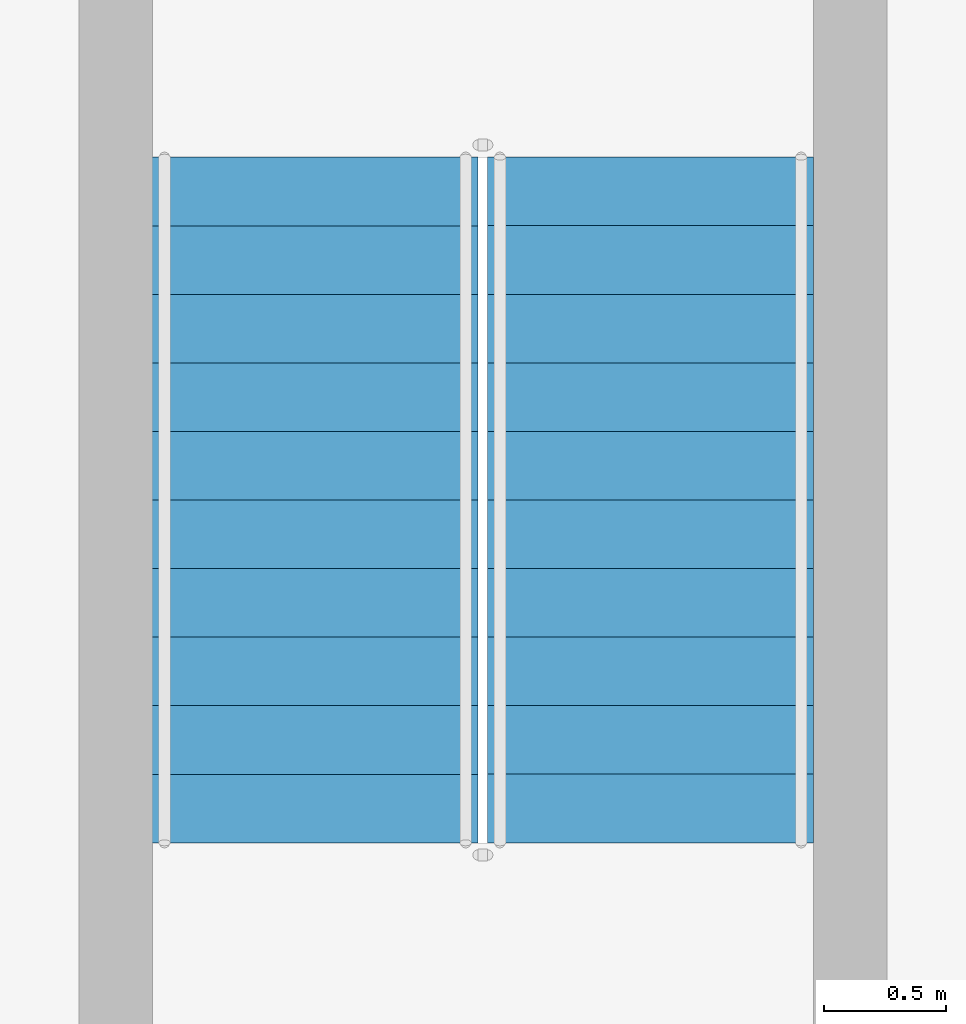
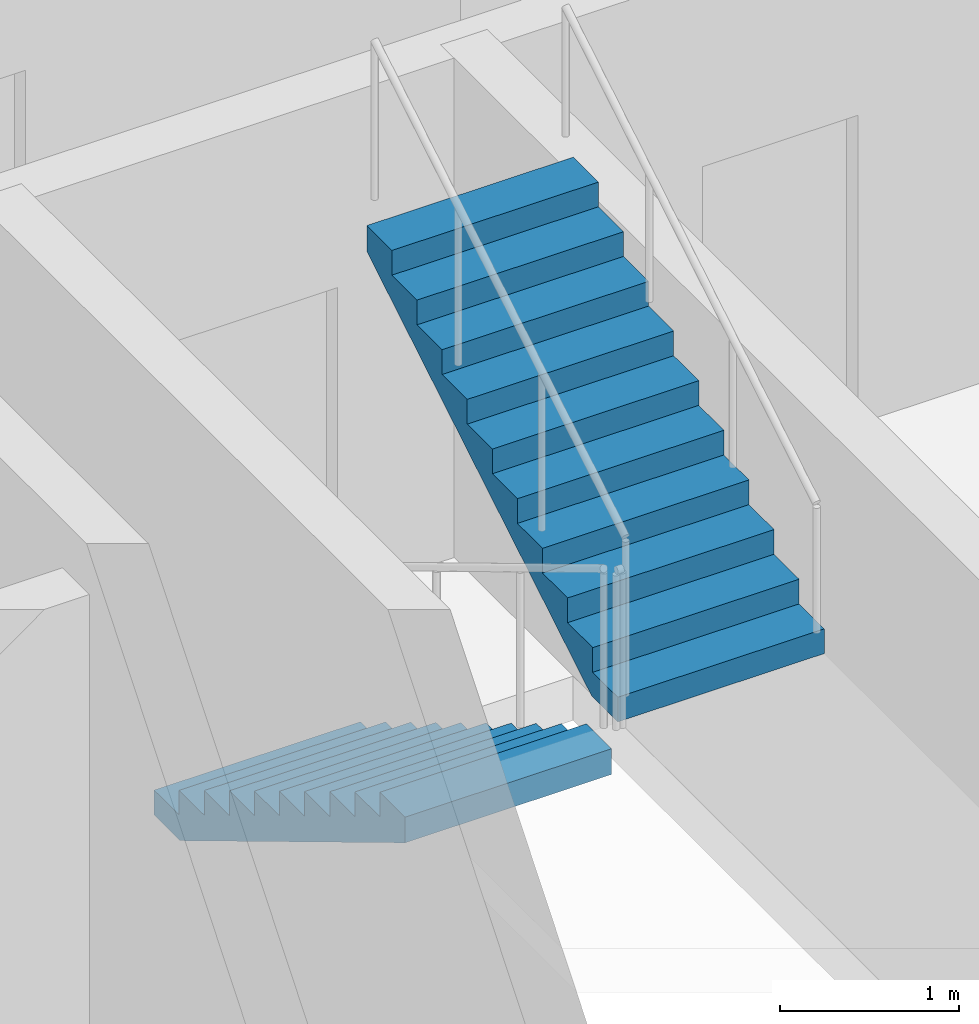
# One storey, part 14 of 18: 2 stair flights, 1 element without a shape of its own.
"""IFC4 building model written with IfcOpenShell, lengths in metres."""

import ifcopenshell
import ifcopenshell.guid

model = None  # the IFC model being written
_history = None  # IfcOwnerHistory: only IFC2X3 demands one
_inside = {}  # id of a spatial element -> (the spatial element, [elements in it])
_under = {}  # id of a project, library or spatial element -> (it, [spatial elements below it])
_declared = {}  # id of a project -> (the project, [libraries it declares])
_typed = {}  # id of a type object -> (the type object, [elements of that type])
_made_of = {}  # id of a material, layer set ... -> (it, [elements and type objects made of it])


def new_model(schema):
    """Start an empty IFC model of exactly this schema.

    Asked for "IFC4X3", IfcOpenShell would pick the latest addendum, in which some entities
    have other attributes; the version numbers below select the first issue.
    IFC2X3 requires an IfcOwnerHistory on every rooted entity: one is made here for all.
    """
    global model, _history
    if schema == "IFC4X3":
        model = ifcopenshell.file(schema_version=(4, 3, 0, 0))
    else:
        model = ifcopenshell.file(schema=schema)
    _inside.clear()
    _under.clear()
    _declared.clear()
    _typed.clear()
    _made_of.clear()
    _history = None
    if model.schema == "IFC2X3":
        org = make("IfcOrganization", Name="unknown")
        user = make(
            "IfcPersonAndOrganization",
            ThePerson=make("IfcPerson", FamilyName="unknown"),
            TheOrganization=org,
        )
        app = make(
            "IfcApplication",
            ApplicationDeveloper=org,
            Version="unknown",
            ApplicationFullName="unknown",
            ApplicationIdentifier="unknown",
        )
        _history = make(
            "IfcOwnerHistory",
            OwningUser=user,
            OwningApplication=app,
            ChangeAction="ADDED",
            CreationDate=0,
        )
    return model


def make(cls, **values):
    """One entity of the class cls with the attributes given. An attribute that is None is left unset."""
    return model.create_entity(
        cls, **{name: value for name, value in values.items() if value is not None}
    )


def rooted(cls, **values):
    """An entity with a GlobalId (a new one), such as an element, a storey or a relation."""
    return make(cls, GlobalId=ifcopenshell.guid.new(), OwnerHistory=_history, **values)


def si_unit(unit_type, name, prefix=None):
    """IfcSIUnit, for example si_unit("LENGTHUNIT", "METRE", prefix="MILLI")."""
    return make("IfcSIUnit", UnitType=unit_type, Prefix=prefix, Name=name)


def assignment(units):
    """IfcUnitAssignment: the units of a project."""
    return None if units is None else make("IfcUnitAssignment", Units=units)


def point(xyz):
    """IfcCartesianPoint."""
    return None if xyz is None else make("IfcCartesianPoint", Coordinates=xyz)


def direction(xyz):
    """IfcDirection."""
    return None if xyz is None else make("IfcDirection", DirectionRatios=xyz)


def frame(location, z_axis=None, x_axis=None):
    """IfcAxis2Placement3D, a coordinate frame: its origin and axes. An axis left out is left unset."""
    return make(
        "IfcAxis2Placement3D",
        Location=point(location),
        Axis=direction(z_axis),
        RefDirection=direction(x_axis),
    )


def origin():
    """The frame at (0, 0, 0) with its axes left unset."""
    return frame((0.0, 0.0, 0.0))


def place(relative_to, where):
    """IfcLocalPlacement: puts the frame where relative to a parent placement (None: the world)."""
    return make(
        "IfcLocalPlacement", PlacementRelTo=relative_to, RelativePlacement=where
    )


def context(
    kind, dimensions, precision=None, world=None, true_north=None, identifier=None
):
    """IfcGeometricRepresentationContext, for example the 3D "Model" context."""
    return make(
        "IfcGeometricRepresentationContext",
        ContextIdentifier=identifier,
        ContextType=kind,
        CoordinateSpaceDimension=dimensions,
        Precision=precision,
        WorldCoordinateSystem=world,
        TrueNorth=true_north,
    )


def subcontext(parent, identifier, kind, view, scale=None):
    """IfcGeometricRepresentationSubContext, for example "Body" below "Model"."""
    return make(
        "IfcGeometricRepresentationSubContext",
        ContextIdentifier=identifier,
        ContextType=kind,
        ParentContext=parent,
        TargetScale=scale,
        TargetView=view,
    )


def project(units=None, contexts=None):
    """IfcProject with its units and contexts."""
    return rooted(
        "IfcProject",
        Name="project",
        RepresentationContexts=contexts,
        UnitsInContext=assignment(units),
    )


def spatial(cls, under=None, at=None, **own):
    """A site, building, storey or space (cls), placed at a placement, below another one or the project."""
    s = rooted(cls, ObjectPlacement=at, **own)
    if under is not None:
        _under.setdefault(under.id(), (under, []))[1].append(s)
    return s


def point_list(points):
    """IfcCartesianPointList2D or 3D."""
    cls = (
        "IfcCartesianPointList2D" if len(points[0]) == 2 else "IfcCartesianPointList3D"
    )
    return make(cls, CoordList=points)


def triangles(points, corners, closed=None, point_numbers=None):
    """IfcTriangulatedFaceSet: each triangle names its three corners, points numbered from 1."""
    return make(
        "IfcTriangulatedFaceSet",
        Coordinates=point_list(points),
        Closed=closed,
        CoordIndex=corners,
        PnIndex=point_numbers,
    )


def shape(context_of_items, identifier, shape_type, items):
    """IfcShapeRepresentation: the items that make up one representation, for example the "Body"."""
    return make(
        "IfcShapeRepresentation",
        ContextOfItems=context_of_items,
        RepresentationIdentifier=identifier,
        RepresentationType=shape_type,
        Items=items,
    )


def source(mapping_origin, context_of_items, identifier, shape_type, items):
    """IfcRepresentationMap: a shape defined once, which mapped items show again and again."""
    return make(
        "IfcRepresentationMap",
        MappingOrigin=mapping_origin,
        MappedRepresentation=shape(context_of_items, identifier, shape_type, items),
    )


def transform(
    local_origin,
    x_axis=None,
    y_axis=None,
    z_axis=None,
    scale=None,
    scale2=None,
    scale3=None,
    uniform=True,
):
    """IfcCartesianTransformationOperator3D, or its non-uniform kind. x_axis, y_axis, z_axis: its Axis1, 2, 3."""
    if uniform:
        return make(
            "IfcCartesianTransformationOperator3D",
            Axis1=direction(x_axis),
            Axis2=direction(y_axis),
            LocalOrigin=point(local_origin),
            Scale=scale,
            Axis3=direction(z_axis),
        )
    return make(
        "IfcCartesianTransformationOperator3DnonUniform",
        Axis1=direction(x_axis),
        Axis2=direction(y_axis),
        LocalOrigin=point(local_origin),
        Scale=scale,
        Axis3=direction(z_axis),
        Scale2=scale2,
        Scale3=scale3,
    )


def mapped(mapping_source, mapping_target):
    """IfcMappedItem: shows the shape of a source again, moved by a transform."""
    return make(
        "IfcMappedItem", MappingSource=mapping_source, MappingTarget=mapping_target
    )


def material(Name=None, Category=None):
    """IfcMaterial."""
    return make("IfcMaterial", Name=Name, Category=Category)


def made_of(thing, what):
    """Note that an element or type object is made of a material, layer set ...; save() writes the relation."""
    if what is not None:
        _made_of.setdefault(what.id(), (what, []))[1].append(thing)
    return thing


def type_object(cls, material=None, **own):
    """A type object (cls), such as IfcWallType, which elements share."""
    return made_of(rooted(cls, **own), material)


def element(
    cls,
    number,
    at=None,
    inside=None,
    cuts=None,
    type_object=None,
    material=None,
    context=None,
    identifier="Body",
    shape_type=None,
    held_by="IfcProductDefinitionShape",
    body=None,
    shapes=None,
    **own,
):
    """One element of the class cls, such as IfcWall. Its Tag is "e" and its number.

    at: its placement. inside: the storey or other place that contains it. cuts: it is an
    opening in that element (IfcRelVoidsElement). A single representation is given by context,
    identifier, shape_type and body (its items); several are given by shapes. held_by: the class
    of the entity that holds the representations. save() writes the other relations.
    """
    e = rooted(cls, Tag="e%d" % number, ObjectPlacement=at, **own)
    if body is not None:
        shapes = [shape(context, identifier, shape_type, body)]
    if shapes is not None:
        e.Representation = make(held_by, Representations=shapes)
    if inside is not None:
        _inside.setdefault(inside.id(), (inside, []))[1].append(e)
    if cuts is not None:
        rooted(
            "IfcRelVoidsElement", RelatingBuildingElement=cuts, RelatedOpeningElement=e
        )
    if type_object is not None:
        _typed.setdefault(type_object.id(), (type_object, []))[1].append(e)
    return made_of(e, material)


def aggregate(whole, parts):
    """IfcRelAggregates: a whole, such as a stair, and the parts it consists of."""
    return rooted("IfcRelAggregates", RelatingObject=whole, RelatedObjects=parts)


def save(model, path):
    """Write the relations noted so far, then the file.

    IfcRelAggregates (storeys below a building ...), IfcRelContainedInSpatialStructure (elements
    in a storey), IfcRelDefinesByType, IfcRelAssociatesMaterial and IfcRelDeclares: one each for
    every whole, place, type object, material and project.
    """
    for whole, parts in _under.values():
        aggregate(whole, parts)
    for where, things in _inside.values():
        rooted(
            "IfcRelContainedInSpatialStructure",
            RelatedElements=things,
            RelatingStructure=where,
        )
    for kind, things in _typed.values():
        rooted("IfcRelDefinesByType", RelatedObjects=things, RelatingType=kind)
    for what, things in _made_of.values():
        rooted("IfcRelAssociatesMaterial", RelatedObjects=things, RelatingMaterial=what)
    for by, libraries in _declared.values():
        rooted("IfcRelDeclares", RelatingContext=by, RelatedDefinitions=libraries)
    model.write(path)


model = new_model("IFC4")

# Units and contexts
model_context = context("Model", 3, precision=1e-05, world=origin(), true_north=direction((0.0, 1.0)))
body_context = subcontext(model_context, "Body", "Model", "MODEL_VIEW")
ifc_project = project(units=[si_unit("LENGTHUNIT", "METRE"), si_unit("AREAUNIT", "SQUARE_METRE"), si_unit("VOLUMEUNIT", "CUBIC_METRE"), si_unit("PLANEANGLEUNIT", "RADIAN"), si_unit("MASSUNIT", "GRAM", prefix="KILO")], contexts=[model_context])

# Site, building, storey
site_placement = place(None, origin())
site = spatial("IfcSite", under=ifc_project, at=site_placement, CompositionType="ELEMENT")
building_placement = place(site_placement, origin())
building = spatial("IfcBuilding", under=site, at=building_placement, Name="Ogive Portal Towers", CompositionType="ELEMENT")
storey_placement = place(building_placement, frame((0.0, 0.0, 236.5)))
storey = spatial("IfcBuildingStorey", under=building, at=storey_placement, Name="L59", CompositionType="ELEMENT", Elevation=236.5)

# Stair, stair flights
ifc_material = material(Name="Concrete C40/50", Category="concrete")
stair_type = type_object("IfcStairType", Name="INT-STAIR", PredefinedType="HALF_TURN_STAIR", material=ifc_material)
stair_placement = place(storey_placement, origin())
stair = element("IfcStair", 1, at=stair_placement, inside=storey, type_object=stair_type, Name="L59 Exit Stair ST-A4", PredefinedType="HALF_TURN_STAIR")
stair_flight_type = type_object("IfcStairFlightType", Name="INT-FLIGHT", PredefinedType="STRAIGHT", material=ifc_material)
shared_shape = source(origin(), body_context, "Body", "Tessellation", [
    triangles([(0.0, -0.6650390625, 0.0), (0.0, -0.384765625, 0.0), (0.0, -0.197021484375, 0.0), (0.0, -0.0830078125, 0.0), (0.0, -0.024658203125, 0.0), (0.0, -0.003173828125, 0.0), (0.0, 0.0, 0.0), (0.0, 0.003173828125, 0.0), (0.0, 0.024658203125, 0.0), (0.0, 0.0830078125, 0.0), (0.0, 0.197021484375, 0.0), (0.0, 0.384765625, 0.0), (0.0, 0.6650390625, 0.0), (0.0, -0.6650390625, 0.168212890625), (0.0, -0.384765625, 0.168212890625), (0.0, -0.197021484375, 0.168212890625), (0.0, -0.0830078125, 0.168212890625), (0.0, -0.024658203125, 0.168212890625), (0.0, -0.003173828125, 0.168212890625), (0.0, 0.0, 0.168212890625), (0.0, 0.003173828125, 0.168212890625), (0.0, 0.024658203125, 0.168212890625), (0.0, 0.0830078125, 0.168212890625), (0.0, 0.197021484375, 0.168212890625), (0.0, 0.384765625, 0.168212890625), (0.0, 0.6650390625, 0.168212890625), (0.280029296875, -0.6650390625, 0.168212890625), (0.280029296875, -0.384765625, 0.168212890625), (0.280029296875, -0.197021484375, 0.168212890625), (0.280029296875, -0.0830078125, 0.168212890625), (0.280029296875, -0.024658203125, 0.168212890625), (0.280029296875, -0.003173828125, 0.168212890625), (0.280029296875, 0.0, 0.168212890625), (0.280029296875, 0.003173828125, 0.168212890625), (0.280029296875, 0.024658203125, 0.168212890625), (0.280029296875, 0.0830078125, 0.168212890625), (0.280029296875, 0.197021484375, 0.168212890625), (0.280029296875, 0.384765625, 0.168212890625), (0.280029296875, 0.6650390625, 0.168212890625), (0.280029296875, -0.6650390625, 0.33642578125), (0.280029296875, -0.384765625, 0.33642578125), (0.280029296875, -0.197021484375, 0.33642578125), (0.280029296875, -0.0830078125, 0.33642578125), (0.280029296875, -0.024658203125, 0.33642578125), (0.280029296875, -0.003173828125, 0.33642578125), (0.280029296875, 0.0, 0.33642578125), (0.280029296875, 0.003173828125, 0.33642578125), (0.280029296875, 0.024658203125, 0.33642578125), (0.280029296875, 0.0830078125, 0.33642578125), (0.280029296875, 0.197021484375, 0.33642578125), (0.280029296875, 0.384765625, 0.33642578125), (0.280029296875, 0.6650390625, 0.33642578125), (0.56005859375, -0.6650390625, 0.33642578125), (0.56005859375, -0.384765625, 0.33642578125), (0.56005859375, -0.197021484375, 0.33642578125), (0.56005859375, -0.0830078125, 0.33642578125), (0.56005859375, -0.024658203125, 0.33642578125), (0.56005859375, -0.003173828125, 0.33642578125), (0.56005859375, 0.0, 0.33642578125), (0.56005859375, 0.003173828125, 0.33642578125), (0.56005859375, 0.024658203125, 0.33642578125), (0.56005859375, 0.0830078125, 0.33642578125), (0.56005859375, 0.197021484375, 0.33642578125), (0.56005859375, 0.384765625, 0.33642578125), (0.56005859375, 0.6650390625, 0.33642578125), (0.56005859375, -0.6650390625, 0.504638671875), (0.56005859375, -0.384765625, 0.504638671875), (0.56005859375, -0.197021484375, 0.504638671875), (0.56005859375, -0.0830078125, 0.504638671875), (0.56005859375, -0.024658203125, 0.504638671875), (0.56005859375, -0.003173828125, 0.504638671875), (0.56005859375, 0.0, 0.504638671875), (0.56005859375, 0.003173828125, 0.504638671875), (0.56005859375, 0.024658203125, 0.504638671875), (0.56005859375, 0.0830078125, 0.504638671875), (0.56005859375, 0.197021484375, 0.504638671875), (0.56005859375, 0.384765625, 0.504638671875), (0.56005859375, 0.6650390625, 0.504638671875), (0.840087890625, -0.6650390625, 0.504638671875), (0.840087890625, -0.384765625, 0.504638671875), (0.840087890625, -0.197021484375, 0.504638671875), (0.840087890625, -0.0830078125, 0.504638671875), (0.840087890625, -0.024658203125, 0.504638671875), (0.840087890625, -0.003173828125, 0.504638671875), (0.840087890625, 0.0, 0.504638671875), (0.840087890625, 0.003173828125, 0.504638671875), (0.840087890625, 0.024658203125, 0.504638671875), (0.840087890625, 0.0830078125, 0.504638671875), (0.840087890625, 0.197021484375, 0.504638671875), (0.840087890625, 0.384765625, 0.504638671875), (0.840087890625, 0.6650390625, 0.504638671875), (0.840087890625, -0.6650390625, 0.672607421875), (0.840087890625, -0.384765625, 0.672607421875), (0.840087890625, -0.197021484375, 0.672607421875), (0.840087890625, -0.0830078125, 0.672607421875), (0.840087890625, -0.024658203125, 0.672607421875), (0.840087890625, -0.003173828125, 0.672607421875), (0.840087890625, 0.0, 0.672607421875), (0.840087890625, 0.003173828125, 0.672607421875), (0.840087890625, 0.024658203125, 0.672607421875), (0.840087890625, 0.0830078125, 0.672607421875), (0.840087890625, 0.197021484375, 0.672607421875), (0.840087890625, 0.384765625, 0.672607421875), (0.840087890625, 0.6650390625, 0.672607421875), (1.1201171875, -0.6650390625, 0.672607421875), (1.1201171875, -0.384765625, 0.672607421875), (1.1201171875, -0.197021484375, 0.672607421875), (1.1201171875, -0.0830078125, 0.672607421875), (1.1201171875, -0.024658203125, 0.672607421875), (1.1201171875, -0.003173828125, 0.672607421875), (1.1201171875, 0.0, 0.672607421875), (1.1201171875, 0.003173828125, 0.672607421875), (1.1201171875, 0.024658203125, 0.672607421875), (1.1201171875, 0.0830078125, 0.672607421875), (1.1201171875, 0.197021484375, 0.672607421875), (1.1201171875, 0.384765625, 0.672607421875), (1.1201171875, 0.6650390625, 0.672607421875), (1.1201171875, -0.6650390625, 0.8408203125), (1.1201171875, -0.384765625, 0.8408203125), (1.1201171875, -0.197021484375, 0.8408203125), (1.1201171875, -0.0830078125, 0.8408203125), (1.1201171875, -0.024658203125, 0.8408203125), (1.1201171875, -0.003173828125, 0.8408203125), (1.1201171875, 0.0, 0.8408203125), (1.1201171875, 0.003173828125, 0.8408203125), (1.1201171875, 0.024658203125, 0.8408203125), (1.1201171875, 0.0830078125, 0.8408203125), (1.1201171875, 0.197021484375, 0.8408203125), (1.1201171875, 0.384765625, 0.8408203125), (1.1201171875, 0.6650390625, 0.8408203125), (1.39990234375, -0.6650390625, 0.8408203125), (1.39990234375, -0.384765625, 0.8408203125), (1.39990234375, -0.197021484375, 0.8408203125), (1.39990234375, -0.0830078125, 0.8408203125), (1.39990234375, -0.024658203125, 0.8408203125), (1.39990234375, -0.003173828125, 0.8408203125), (1.39990234375, 0.0, 0.8408203125), (1.39990234375, 0.003173828125, 0.8408203125), (1.39990234375, 0.024658203125, 0.8408203125), (1.39990234375, 0.0830078125, 0.8408203125), (1.39990234375, 0.197021484375, 0.8408203125), (1.39990234375, 0.384765625, 0.8408203125), (1.39990234375, 0.6650390625, 0.8408203125), (1.39990234375, -0.6650390625, 1.009033203125), (1.39990234375, -0.384765625, 1.009033203125), (1.39990234375, -0.197021484375, 1.009033203125), (1.39990234375, -0.0830078125, 1.009033203125), (1.39990234375, -0.024658203125, 1.009033203125), (1.39990234375, -0.003173828125, 1.009033203125), (1.39990234375, 0.0, 1.009033203125), (1.39990234375, 0.003173828125, 1.009033203125), (1.39990234375, 0.024658203125, 1.009033203125), (1.39990234375, 0.0830078125, 1.009033203125), (1.39990234375, 0.197021484375, 1.009033203125), (1.39990234375, 0.384765625, 1.009033203125), (1.39990234375, 0.6650390625, 1.009033203125), (1.679931640625, -0.6650390625, 1.009033203125), (1.679931640625, -0.384765625, 1.009033203125), (1.679931640625, -0.197021484375, 1.009033203125), (1.679931640625, -0.0830078125, 1.009033203125), (1.679931640625, -0.024658203125, 1.009033203125), (1.679931640625, -0.003173828125, 1.009033203125), (1.679931640625, 0.0, 1.009033203125), (1.679931640625, 0.003173828125, 1.009033203125), (1.679931640625, 0.024658203125, 1.009033203125), (1.679931640625, 0.0830078125, 1.009033203125), (1.679931640625, 0.197021484375, 1.009033203125), (1.679931640625, 0.384765625, 1.009033203125), (1.679931640625, 0.6650390625, 1.009033203125), (1.679931640625, -0.6650390625, 1.17724609375), (1.679931640625, -0.384765625, 1.17724609375), (1.679931640625, -0.197021484375, 1.17724609375), (1.679931640625, -0.0830078125, 1.17724609375), (1.679931640625, -0.024658203125, 1.17724609375), (1.679931640625, -0.003173828125, 1.17724609375), (1.679931640625, 0.0, 1.17724609375), (1.679931640625, 0.003173828125, 1.17724609375), (1.679931640625, 0.024658203125, 1.17724609375), (1.679931640625, 0.0830078125, 1.17724609375), (1.679931640625, 0.197021484375, 1.17724609375), (1.679931640625, 0.384765625, 1.17724609375), (1.679931640625, 0.6650390625, 1.17724609375), (1.9599609375, -0.6650390625, 1.17724609375), (1.9599609375, -0.384765625, 1.17724609375), (1.9599609375, -0.197021484375, 1.17724609375), (1.9599609375, -0.0830078125, 1.17724609375), (1.9599609375, -0.024658203125, 1.17724609375), (1.9599609375, -0.003173828125, 1.17724609375), (1.9599609375, 0.0, 1.17724609375), (1.9599609375, 0.003173828125, 1.17724609375), (1.9599609375, 0.024658203125, 1.17724609375), (1.9599609375, 0.0830078125, 1.17724609375), (1.9599609375, 0.197021484375, 1.17724609375), (1.9599609375, 0.384765625, 1.17724609375), (1.9599609375, 0.6650390625, 1.17724609375), (1.9599609375, -0.6650390625, 1.345458984375), (1.9599609375, -0.384765625, 1.345458984375), (1.9599609375, -0.197021484375, 1.345458984375), (1.9599609375, -0.0830078125, 1.345458984375), (1.9599609375, -0.024658203125, 1.345458984375), (1.9599609375, -0.003173828125, 1.345458984375), (1.9599609375, 0.0, 1.345458984375), (1.9599609375, 0.003173828125, 1.345458984375), (1.9599609375, 0.024658203125, 1.345458984375), (1.9599609375, 0.0830078125, 1.345458984375), (1.9599609375, 0.197021484375, 1.345458984375), (1.9599609375, 0.384765625, 1.345458984375), (1.9599609375, 0.6650390625, 1.345458984375), (2.239990234375, -0.6650390625, 1.345458984375), (2.239990234375, -0.384765625, 1.345458984375), (2.239990234375, -0.197021484375, 1.345458984375), (2.239990234375, -0.0830078125, 1.345458984375), (2.239990234375, -0.024658203125, 1.345458984375), (2.239990234375, -0.003173828125, 1.345458984375), (2.239990234375, 0.0, 1.345458984375), (2.239990234375, 0.003173828125, 1.345458984375), (2.239990234375, 0.024658203125, 1.345458984375), (2.239990234375, 0.0830078125, 1.345458984375), (2.239990234375, 0.197021484375, 1.345458984375), (2.239990234375, 0.384765625, 1.345458984375), (2.239990234375, 0.6650390625, 1.345458984375), (2.239990234375, -0.6650390625, 1.513671875), (2.239990234375, -0.384765625, 1.513671875), (2.239990234375, -0.197021484375, 1.513671875), (2.239990234375, -0.0830078125, 1.513671875), (2.239990234375, -0.024658203125, 1.513671875), (2.239990234375, -0.003173828125, 1.513671875), (2.239990234375, 0.0, 1.513671875), (2.239990234375, 0.003173828125, 1.513671875), (2.239990234375, 0.024658203125, 1.513671875), (2.239990234375, 0.0830078125, 1.513671875), (2.239990234375, 0.197021484375, 1.513671875), (2.239990234375, 0.384765625, 1.513671875), (2.239990234375, 0.6650390625, 1.513671875), (2.52001953125, -0.6650390625, 1.513671875), (2.52001953125, -0.384765625, 1.513671875), (2.52001953125, -0.197021484375, 1.513671875), (2.52001953125, -0.0830078125, 1.513671875), (2.52001953125, -0.024658203125, 1.513671875), (2.52001953125, -0.003173828125, 1.513671875), (2.52001953125, 0.0, 1.513671875), (2.52001953125, 0.003173828125, 1.513671875), (2.52001953125, 0.024658203125, 1.513671875), (2.52001953125, 0.0830078125, 1.513671875), (2.52001953125, 0.197021484375, 1.513671875), (2.52001953125, 0.384765625, 1.513671875), (2.52001953125, 0.6650390625, 1.513671875), (2.52001953125, -0.6650390625, 1.681884765625), (2.52001953125, -0.384765625, 1.681884765625), (2.52001953125, -0.197021484375, 1.681884765625), (2.52001953125, -0.0830078125, 1.681884765625), (2.52001953125, -0.024658203125, 1.681884765625), (2.52001953125, -0.003173828125, 1.681884765625), (2.52001953125, 0.0, 1.681884765625), (2.52001953125, 0.003173828125, 1.681884765625), (2.52001953125, 0.024658203125, 1.681884765625), (2.52001953125, 0.0830078125, 1.681884765625), (2.52001953125, 0.197021484375, 1.681884765625), (2.52001953125, 0.384765625, 1.681884765625), (2.52001953125, 0.6650390625, 1.681884765625), (2.800048828125, -0.6650390625, 1.681884765625), (2.800048828125, -0.384765625, 1.681884765625), (2.800048828125, -0.197021484375, 1.681884765625), (2.800048828125, -0.0830078125, 1.681884765625), (2.800048828125, -0.024658203125, 1.681884765625), (2.800048828125, -0.003173828125, 1.681884765625), (2.800048828125, 0.0, 1.681884765625), (2.800048828125, 0.003173828125, 1.681884765625), (2.800048828125, 0.024658203125, 1.681884765625), (2.800048828125, 0.0830078125, 1.681884765625), (2.800048828125, 0.197021484375, 1.681884765625), (2.800048828125, 0.384765625, 1.681884765625), (2.800048828125, 0.6650390625, 1.681884765625), (2.800048828125, -0.6650390625, 1.5068359375), (2.800048828125, -0.384765625, 1.5068359375), (2.800048828125, -0.197021484375, 1.5068359375), (2.800048828125, -0.0830078125, 1.5068359375), (2.800048828125, -0.024658203125, 1.5068359375), (2.800048828125, -0.003173828125, 1.5068359375), (2.800048828125, 0.0, 1.5068359375), (2.800048828125, 0.003173828125, 1.5068359375), (2.800048828125, 0.024658203125, 1.5068359375), (2.800048828125, 0.0830078125, 1.5068359375), (2.800048828125, 0.197021484375, 1.5068359375), (2.800048828125, 0.384765625, 1.5068359375), (2.800048828125, 0.6650390625, 1.5068359375), (0.291015625, -0.6650390625, 0.0), (0.291015625, -0.384765625, 0.0), (0.291015625, -0.197021484375, 0.0), (0.291015625, -0.0830078125, 0.0), (0.291015625, -0.024658203125, 0.0), (0.291015625, -0.003173828125, 0.0), (0.291015625, 0.0, 0.0), (0.291015625, 0.003173828125, 0.0), (0.291015625, 0.024658203125, 0.0), (0.291015625, 0.0830078125, 0.0), (0.291015625, 0.197021484375, 0.0), (0.291015625, 0.384765625, 0.0), (0.291015625, 0.6650390625, 0.0)], [[1, 14, 15], [1, 15, 2], [2, 15, 16], [2, 16, 3], [3, 16, 17], [3, 17, 4], [4, 17, 18], [4, 18, 5], [5, 18, 19], [5, 19, 6], [6, 19, 20], [6, 20, 7], [7, 20, 21], [7, 21, 8], [8, 21, 22], [8, 22, 9], [9, 22, 23], [9, 23, 10], [10, 23, 24], [10, 24, 11], [11, 24, 25], [11, 25, 12], [12, 25, 26], [12, 26, 13], [14, 27, 28], [14, 28, 15], [15, 28, 29], [15, 29, 16], [16, 29, 30], [16, 30, 17], [17, 30, 31], [17, 31, 18], [18, 31, 32], [18, 32, 19], [19, 32, 33], [19, 33, 20], [20, 33, 34], [20, 34, 21], [21, 34, 35], [21, 35, 22], [22, 35, 36], [22, 36, 23], [23, 36, 37], [23, 37, 24], [24, 37, 38], [24, 38, 25], [25, 38, 39], [25, 39, 26], [27, 40, 41], [27, 41, 28], [28, 41, 42], [28, 42, 29], [29, 42, 43], [29, 43, 30], [30, 43, 44], [30, 44, 31], [31, 44, 45], [31, 45, 32], [32, 45, 46], [32, 46, 33], [33, 46, 47], [33, 47, 34], [34, 47, 48], [34, 48, 35], [35, 48, 49], [35, 49, 36], [36, 49, 50], [36, 50, 37], [37, 50, 51], [37, 51, 38], [38, 51, 52], [38, 52, 39], [40, 53, 54], [40, 54, 41], [41, 54, 55], [41, 55, 42], [42, 55, 56], [42, 56, 43], [43, 56, 57], [43, 57, 44], [44, 57, 58], [44, 58, 45], [45, 58, 59], [45, 59, 46], [46, 59, 60], [46, 60, 47], [47, 60, 61], [47, 61, 48], [48, 61, 62], [48, 62, 49], [49, 62, 63], [49, 63, 50], [50, 63, 64], [50, 64, 51], [51, 64, 65], [51, 65, 52], [53, 66, 67], [53, 67, 54], [54, 67, 68], [54, 68, 55], [55, 68, 69], [55, 69, 56], [56, 69, 70], [56, 70, 57], [57, 70, 71], [57, 71, 58], [58, 71, 72], [58, 72, 59], [59, 72, 73], [59, 73, 60], [60, 73, 74], [60, 74, 61], [61, 74, 75], [61, 75, 62], [62, 75, 76], [62, 76, 63], [63, 76, 77], [63, 77, 64], [64, 77, 78], [64, 78, 65], [66, 79, 80], [66, 80, 67], [67, 80, 81], [67, 81, 68], [68, 81, 82], [68, 82, 69], [69, 82, 83], [69, 83, 70], [70, 83, 84], [70, 84, 71], [71, 84, 85], [71, 85, 72], [72, 85, 86], [72, 86, 73], [73, 86, 87], [73, 87, 74], [74, 87, 88], [74, 88, 75], [75, 88, 89], [75, 89, 76], [76, 89, 90], [76, 90, 77], [77, 90, 91], [77, 91, 78], [79, 92, 93], [79, 93, 80], [80, 93, 94], [80, 94, 81], [81, 94, 95], [81, 95, 82], [82, 95, 96], [82, 96, 83], [83, 96, 97], [83, 97, 84], [84, 97, 98], [84, 98, 85], [85, 98, 99], [85, 99, 86], [86, 99, 100], [86, 100, 87], [87, 100, 101], [87, 101, 88], [88, 101, 102], [88, 102, 89], [89, 102, 103], [89, 103, 90], [90, 103, 104], [90, 104, 91], [92, 105, 106], [92, 106, 93], [93, 106, 107], [93, 107, 94], [94, 107, 108], [94, 108, 95], [95, 108, 109], [95, 109, 96], [96, 109, 110], [96, 110, 97], [97, 110, 111], [97, 111, 98], [98, 111, 112], [98, 112, 99], [99, 112, 113], [99, 113, 100], [100, 113, 114], [100, 114, 101], [101, 114, 115], [101, 115, 102], [102, 115, 116], [102, 116, 103], [103, 116, 117], [103, 117, 104], [105, 118, 119], [105, 119, 106], [106, 119, 120], [106, 120, 107], [107, 120, 121], [107, 121, 108], [108, 121, 122], [108, 122, 109], [109, 122, 123], [109, 123, 110], [110, 123, 124], [110, 124, 111], [111, 124, 125], [111, 125, 112], [112, 125, 126], [112, 126, 113], [113, 126, 127], [113, 127, 114], [114, 127, 128], [114, 128, 115], [115, 128, 129], [115, 129, 116], [116, 129, 130], [116, 130, 117], [118, 131, 132], [118, 132, 119], [119, 132, 133], [119, 133, 120], [120, 133, 134], [120, 134, 121], [121, 134, 135], [121, 135, 122], [122, 135, 136], [122, 136, 123], [123, 136, 137], [123, 137, 124], [124, 137, 138], [124, 138, 125], [125, 138, 139], [125, 139, 126], [126, 139, 140], [126, 140, 127], [127, 140, 141], [127, 141, 128], [128, 141, 142], [128, 142, 129], [129, 142, 143], [129, 143, 130], [131, 144, 145], [131, 145, 132], [132, 145, 146], [132, 146, 133], [133, 146, 147], [133, 147, 134], [134, 147, 148], [134, 148, 135], [135, 148, 149], [135, 149, 136], [136, 149, 150], [136, 150, 137], [137, 150, 151], [137, 151, 138], [138, 151, 152], [138, 152, 139], [139, 152, 153], [139, 153, 140], [140, 153, 154], [140, 154, 141], [141, 154, 155], [141, 155, 142], [142, 155, 156], [142, 156, 143], [144, 157, 158], [144, 158, 145], [145, 158, 159], [145, 159, 146], [146, 159, 160], [146, 160, 147], [147, 160, 161], [147, 161, 148], [148, 161, 162], [148, 162, 149], [149, 162, 163], [149, 163, 150], [150, 163, 164], [150, 164, 151], [151, 164, 165], [151, 165, 152], [152, 165, 166], [152, 166, 153], [153, 166, 167], [153, 167, 154], [154, 167, 168], [154, 168, 155], [155, 168, 169], [155, 169, 156], [157, 170, 171], [157, 171, 158], [158, 171, 172], [158, 172, 159], [159, 172, 173], [159, 173, 160], [160, 173, 174], [160, 174, 161], [161, 174, 175], [161, 175, 162], [162, 175, 176], [162, 176, 163], [163, 176, 177], [163, 177, 164], [164, 177, 178], [164, 178, 165], [165, 178, 179], [165, 179, 166], [166, 179, 180], [166, 180, 167], [167, 180, 181], [167, 181, 168], [168, 181, 182], [168, 182, 169], [170, 183, 184], [170, 184, 171], [171, 184, 185], [171, 185, 172], [172, 185, 186], [172, 186, 173], [173, 186, 187], [173, 187, 174], [174, 187, 188], [174, 188, 175], [175, 188, 189], [175, 189, 176], [176, 189, 190], [176, 190, 177], [177, 190, 191], [177, 191, 178], [178, 191, 192], [178, 192, 179], [179, 192, 193], [179, 193, 180], [180, 193, 194], [180, 194, 181], [181, 194, 195], [181, 195, 182], [183, 196, 197], [183, 197, 184], [184, 197, 198], [184, 198, 185], [185, 198, 199], [185, 199, 186], [186, 199, 200], [186, 200, 187], [187, 200, 201], [187, 201, 188], [188, 201, 202], [188, 202, 189], [189, 202, 203], [189, 203, 190], [190, 203, 204], [190, 204, 191], [191, 204, 205], [191, 205, 192], [192, 205, 206], [192, 206, 193], [193, 206, 207], [193, 207, 194], [194, 207, 208], [194, 208, 195], [196, 209, 210], [196, 210, 197], [197, 210, 211], [197, 211, 198], [198, 211, 212], [198, 212, 199], [199, 212, 213], [199, 213, 200], [200, 213, 214], [200, 214, 201], [201, 214, 215], [201, 215, 202], [202, 215, 216], [202, 216, 203], [203, 216, 217], [203, 217, 204], [204, 217, 218], [204, 218, 205], [205, 218, 219], [205, 219, 206], [206, 219, 220], [206, 220, 207], [207, 220, 221], [207, 221, 208], [209, 222, 223], [209, 223, 210], [210, 223, 224], [210, 224, 211], [211, 224, 225], [211, 225, 212], [212, 225, 226], [212, 226, 213], [213, 226, 227], [213, 227, 214], [214, 227, 228], [214, 228, 215], [215, 228, 229], [215, 229, 216], [216, 229, 230], [216, 230, 217], [217, 230, 231], [217, 231, 218], [218, 231, 232], [218, 232, 219], [219, 232, 233], [219, 233, 220], [220, 233, 234], [220, 234, 221], [222, 235, 236], [222, 236, 223], [223, 236, 237], [223, 237, 224], [224, 237, 238], [224, 238, 225], [225, 238, 239], [225, 239, 226], [226, 239, 240], [226, 240, 227], [227, 240, 241], [227, 241, 228], [228, 241, 242], [228, 242, 229], [229, 242, 243], [229, 243, 230], [230, 243, 244], [230, 244, 231], [231, 244, 245], [231, 245, 232], [232, 245, 246], [232, 246, 233], [233, 246, 247], [233, 247, 234], [235, 248, 249], [235, 249, 236], [236, 249, 250], [236, 250, 237], [237, 250, 251], [237, 251, 238], [238, 251, 252], [238, 252, 239], [239, 252, 253], [239, 253, 240], [240, 253, 254], [240, 254, 241], [241, 254, 255], [241, 255, 242], [242, 255, 256], [242, 256, 243], [243, 256, 257], [243, 257, 244], [244, 257, 258], [244, 258, 245], [245, 258, 259], [245, 259, 246], [246, 259, 260], [246, 260, 247], [248, 261, 262], [248, 262, 249], [249, 262, 263], [249, 263, 250], [250, 263, 264], [250, 264, 251], [251, 264, 265], [251, 265, 252], [252, 265, 266], [252, 266, 253], [253, 266, 267], [253, 267, 254], [254, 267, 268], [254, 268, 255], [255, 268, 269], [255, 269, 256], [256, 269, 270], [256, 270, 257], [257, 270, 271], [257, 271, 258], [258, 271, 272], [258, 272, 259], [259, 272, 273], [259, 273, 260], [261, 274, 275], [261, 275, 262], [262, 275, 276], [262, 276, 263], [263, 276, 277], [263, 277, 264], [264, 277, 278], [264, 278, 265], [265, 278, 279], [265, 279, 266], [266, 279, 280], [266, 280, 267], [267, 280, 281], [267, 281, 268], [268, 281, 282], [268, 282, 269], [269, 282, 283], [269, 283, 270], [270, 283, 284], [270, 284, 271], [271, 284, 285], [271, 285, 272], [272, 285, 286], [272, 286, 273], [274, 287, 288], [274, 288, 275], [275, 288, 289], [275, 289, 276], [276, 289, 290], [276, 290, 277], [277, 290, 291], [277, 291, 278], [278, 291, 292], [278, 292, 279], [279, 292, 293], [279, 293, 280], [280, 293, 294], [280, 294, 281], [281, 294, 295], [281, 295, 282], [282, 295, 296], [282, 296, 283], [283, 296, 297], [283, 297, 284], [284, 297, 298], [284, 298, 285], [285, 298, 299], [285, 299, 286], [287, 1, 2], [287, 2, 288], [288, 2, 3], [288, 3, 289], [289, 3, 4], [289, 4, 290], [290, 4, 5], [290, 5, 291], [291, 5, 6], [291, 6, 292], [292, 6, 7], [292, 7, 293], [293, 7, 8], [293, 8, 294], [294, 8, 9], [294, 9, 295], [295, 9, 10], [295, 10, 296], [296, 10, 11], [296, 11, 297], [297, 11, 12], [297, 12, 298], [298, 12, 13], [298, 13, 299], [1, 287, 274], [13, 286, 299], [274, 261, 248], [286, 260, 273], [274, 248, 235], [286, 247, 260], [274, 235, 222], [286, 234, 247], [274, 222, 209], [286, 221, 234], [209, 196, 183], [221, 195, 208], [274, 209, 183], [286, 195, 221], [183, 170, 157], [195, 169, 182], [274, 183, 157], [286, 169, 195], [157, 144, 131], [169, 143, 156], [274, 157, 131], [286, 143, 169], [131, 118, 105], [143, 117, 130], [274, 131, 105], [286, 117, 143], [1, 274, 105], [13, 117, 286], [105, 92, 79], [117, 91, 104], [79, 66, 53], [91, 65, 78], [105, 79, 53], [117, 65, 91], [53, 40, 27], [65, 39, 52], [105, 53, 27], [117, 39, 65], [1, 105, 27], [13, 39, 117], [27, 14, 1], [39, 13, 26]], closed=True),
])
stair_flight_1_placement = place(storey_placement, frame((87.6650390625, 29.169921875, 0.0), z_axis=(0.0, 0.0, 1.0), x_axis=(0.0, -1.0, 0.0)))
stair_flight_1 = element("IfcStairFlight", 2, at=stair_flight_1_placement, type_object=stair_flight_type, Name="ST-A4 flight 1", NumberOfRisers=11, NumberOfTreads=10, PredefinedType="STRAIGHT", RiserHeight=0.168181818, TreadLength=0.28, context=body_context, shape_type="MappedRepresentation", body=[
    mapped(shared_shape, transform((0.0, 0.0, 0.0), scale=1.0)),
])
stair_flight_2_placement = place(storey_placement, frame((89.034912109375, 26.3701171875, 1.85009765625), z_axis=(0.0, 0.0, 1.0), x_axis=(0.0, 1.0, 0.0)))
stair_flight_2 = element("IfcStairFlight", 3, at=stair_flight_2_placement, type_object=stair_flight_type, Name="ST-A4 flight 2", NumberOfRisers=11, NumberOfTreads=10, PredefinedType="STRAIGHT", RiserHeight=0.168181818, TreadLength=0.28, context=body_context, shape_type="MappedRepresentation", body=[
    mapped(shared_shape, transform((0.0, 0.0, 0.0), scale=1.0)),
])
aggregate(stair, [stair_flight_1, stair_flight_2])

save(model, "model.ifc")
